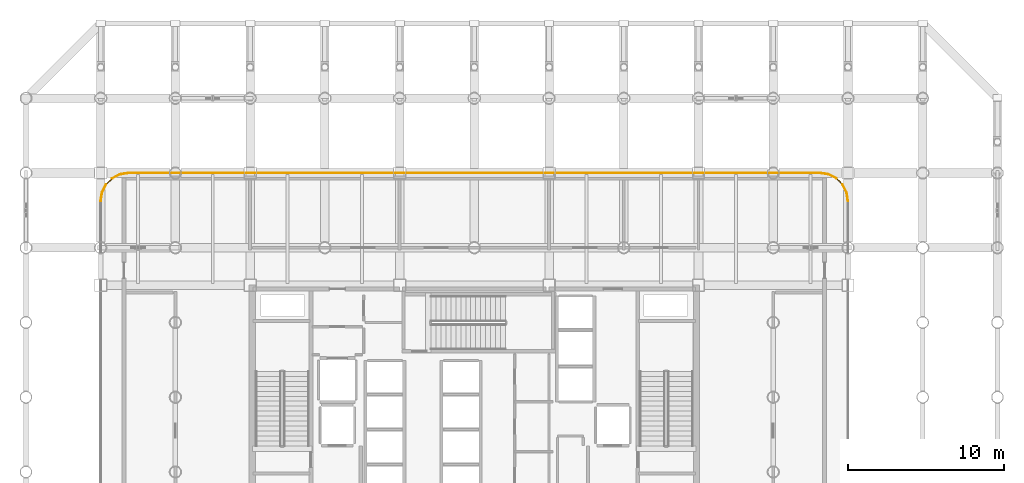
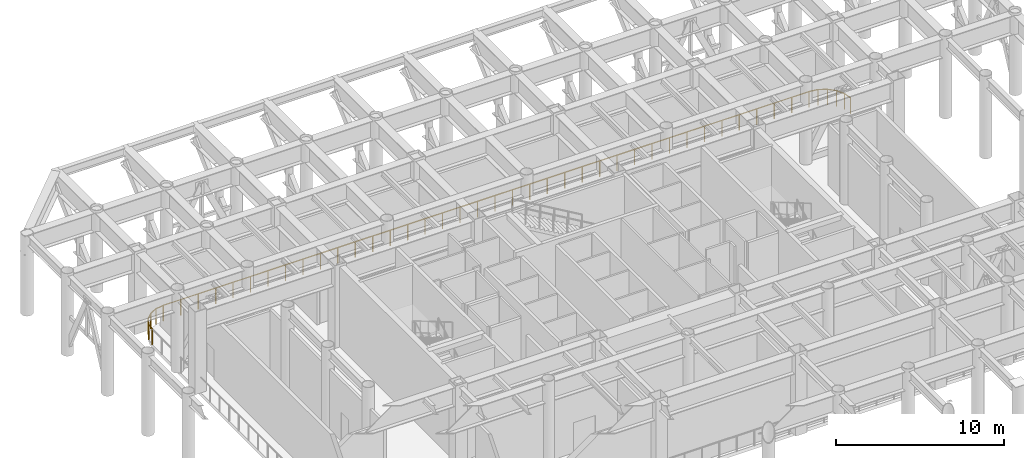
# One storey, part 19 of 19: 11 railings.
"""IFC4 building model written with IfcOpenShell, lengths in metres."""

from ifc_helpers import new_model, si_unit, direction, frame, origin, origin_2d, place, context, subcontext, project, spatial, circle, extrude, material, layer, layer_set, type_object, element, save


model = new_model("IFC4")

# Units and contexts
model_context = context("Model", 3, precision=1e-05, world=origin(), true_north=direction((0.0, 1.0)))
body_context = subcontext(model_context, "Body", "Model", "MODEL_VIEW")
ifc_project = project(units=[si_unit("LENGTHUNIT", "METRE"), si_unit("AREAUNIT", "SQUARE_METRE"), si_unit("VOLUMEUNIT", "CUBIC_METRE"), si_unit("PLANEANGLEUNIT", "RADIAN"), si_unit("MASSUNIT", "GRAM", prefix="KILO")], contexts=[model_context])

# Site, building, storey
site_placement = place(None, origin())
site = spatial("IfcSite", under=ifc_project, at=site_placement, CompositionType="ELEMENT")
building_placement = place(site_placement, origin())
building = spatial("IfcBuilding", under=site, at=building_placement, Name="Kallvorn Hotel Tower", CompositionType="ELEMENT")
storey_placement = place(building_placement, frame((0.0, 0.0, 89.199951171875)))
storey = spatial("IfcBuildingStorey", under=building, at=storey_placement, Name="L21", CompositionType="ELEMENT", Elevation=89.199951171875)

# Railings
ifc_material = material(Name="Galvanised painted steel S275JR balustrade", Category="steel")
ifc_layer = layer(ifc_material, 0.06005859375)
ifc_layer_set = layer_set([ifc_layer], Name="RL_WIND_GUARD_1150")
railing_type = type_object("IfcRailingType", Name="RL_WIND_GUARD_1150", PredefinedType="GUARDRAIL", material=ifc_layer_set)
railing_1_placement = place(storey_placement, frame((24.0, 12.60009765625, 0.0)))
element("IfcRailing", 1, at=railing_1_placement, inside=storey, type_object=railing_type, Name="L21 Exterior Safety Guardrail WIND-L21-07", PredefinedType="GUARDRAIL", context=body_context, shape_type="SweptSolid", body=[
    extrude(circle(Radius=0.02392578125, at=origin_2d()), frame((0.0, 0.0, 1.1259765625), z_axis=(-0.156519160234, 0.987674922472, 0.0), x_axis=(-0.987674922472, -0.156519160234, 0.0)), (0.0, 0.0, 1.0), 0.56298828125),
    extrude(circle(Radius=0.02099609375, at=origin_2d()), origin(), (0.0, 0.0, 1.0), 1.101806640625),
    extrude(circle(Radius=0.02099609375, at=origin_2d()), frame((-0.088134765625, 0.55615234375, 0.0)), (0.0, 0.0, 1.0), 1.101806640625),
])
railing_2_placement = place(storey_placement, frame((23.911865234375, 13.15625, 0.0)))
element("IfcRailing", 2, at=railing_2_placement, inside=storey, type_object=railing_type, Name="L21 Exterior Safety Guardrail WIND-L21-08", PredefinedType="GUARDRAIL", context=body_context, shape_type="SweptSolid", body=[
    extrude(circle(Radius=0.02392578125, at=origin_2d()), frame((0.0, 0.0, 1.1259765625), z_axis=(-0.453964752271, 0.89101964271, 0.0), x_axis=(-0.89101964271, -0.453964752271, 0.0)), (0.0, 0.0, 1.0), 0.56298828125),
    extrude(circle(Radius=0.02099609375, at=origin_2d()), origin(), (0.0, 0.0, 1.0), 1.101806640625),
    extrude(circle(Radius=0.02099609375, at=origin_2d()), frame((-0.255615234375, 0.501708984375, 0.0)), (0.0, 0.0, 1.0), 1.101806640625),
])
railing_3_placement = place(storey_placement, frame((23.65625, 13.657958984375, 0.0)))
element("IfcRailing", 3, at=railing_3_placement, inside=storey, type_object=railing_type, Name="L21 Exterior Safety Guardrail WIND-L21-09", PredefinedType="GUARDRAIL", context=body_context, shape_type="SweptSolid", body=[
    extrude(circle(Radius=0.02392578125, at=origin_2d()), frame((0.0, 0.0, 1.1259765625), z_axis=(-0.707106781187, 0.707106781187, 0.0), x_axis=(-0.707106781187, -0.707106781187, 0.0)), (0.0, 0.0, 1.0), 0.563232421875),
    extrude(circle(Radius=0.02099609375, at=origin_2d()), origin(), (0.0, 0.0, 1.0), 1.101806640625),
    extrude(circle(Radius=0.02099609375, at=origin_2d()), frame((-0.398193359375, 0.398193359375, 0.0)), (0.0, 0.0, 1.0), 1.101806640625),
])
railing_4_placement = place(storey_placement, frame((23.258056640625, 14.05615234375, 0.0)))
element("IfcRailing", 4, at=railing_4_placement, inside=storey, type_object=railing_type, Name="L21 Exterior Safety Guardrail WIND-L21-10", PredefinedType="GUARDRAIL", context=body_context, shape_type="SweptSolid", body=[
    extrude(circle(Radius=0.02392578125, at=origin_2d()), frame((0.0, 0.0, 1.1259765625), z_axis=(-0.89093365011, 0.454133494803, 0.0), x_axis=(-0.454133494803, -0.89093365011, 0.0)), (0.0, 0.0, 1.0), 0.5634765625),
    extrude(circle(Radius=0.02099609375, at=origin_2d()), origin(), (0.0, 0.0, 1.0), 1.101806640625),
    extrude(circle(Radius=0.02099609375, at=origin_2d()), frame((-0.501953125, 0.255859375, 0.0)), (0.0, 0.0, 1.0), 1.101806640625),
])
railing_5_placement = place(storey_placement, frame((22.756103515625, 14.31201171875, 0.0)))
element("IfcRailing", 5, at=railing_5_placement, inside=storey, type_object=railing_type, Name="L21 Exterior Safety Guardrail WIND-L21-11", PredefinedType="GUARDRAIL", context=body_context, shape_type="SweptSolid", body=[
    extrude(circle(Radius=0.02392578125, at=origin_2d()), frame((0.0, 0.0, 1.1259765625), z_axis=(-0.987741862218, 0.156096167866, 0.0), x_axis=(-0.156096167866, -0.987741862218, 0.0)), (0.0, 0.0, 1.0), 0.56298828125),
    extrude(circle(Radius=0.02099609375, at=origin_2d()), origin(), (0.0, 0.0, 1.0), 1.101806640625),
    extrude(circle(Radius=0.02099609375, at=origin_2d()), frame((-0.55615234375, 0.087890625, 0.0)), (0.0, 0.0, 1.0), 1.101806640625),
])
railing_6_placement = place(storey_placement, frame((22.199951171875, 14.39990234375, 0.0)))
element("IfcRailing", 6, at=railing_6_placement, inside=storey, type_object=railing_type, Name="L21 Exterior Safety Guardrail WIND-L21-12", PredefinedType="GUARDRAIL", context=body_context, shape_type="SweptSolid", body=[
    extrude(circle(Radius=0.02392578125, at=origin_2d()), frame((0.0, 0.0, 1.1259765625), z_axis=(-1.0, 0.0, 0.0), x_axis=(0.0, -1.0, 0.0)), (0.0, 0.0, 1.0), 44.39990234375),
    extrude(circle(Radius=0.02099609375, at=origin_2d()), origin(), (0.0, 0.0, 1.0), 1.101806640625),
    extrude(circle(Radius=0.02099609375, at=origin_2d()), frame((-1.199951171875, 0.0, 0.0)), (0.0, 0.0, 1.0), 1.101806640625),
    extrude(circle(Radius=0.02099609375, at=origin_2d()), frame((-2.39990234375, 0.0, 0.0)), (0.0, 0.0, 1.0), 1.101806640625),
    extrude(circle(Radius=0.02099609375, at=origin_2d()), frame((-3.60009765625, 0.0, 0.0)), (0.0, 0.0, 1.0), 1.101806640625),
    extrude(circle(Radius=0.02099609375, at=origin_2d()), frame((-4.800048828125, 0.0, 0.0)), (0.0, 0.0, 1.0), 1.101806640625),
    extrude(circle(Radius=0.02099609375, at=origin_2d()), frame((-6.0, 0.0, 0.0)), (0.0, 0.0, 1.0), 1.101806640625),
    extrude(circle(Radius=0.02099609375, at=origin_2d()), frame((-7.199951171875, 0.0, 0.0)), (0.0, 0.0, 1.0), 1.101806640625),
    extrude(circle(Radius=0.02099609375, at=origin_2d()), frame((-8.39990234375, 0.0, 0.0)), (0.0, 0.0, 1.0), 1.101806640625),
    extrude(circle(Radius=0.02099609375, at=origin_2d()), frame((-9.60009765625, 0.0, 0.0)), (0.0, 0.0, 1.0), 1.101806640625),
    extrude(circle(Radius=0.02099609375, at=origin_2d()), frame((-10.800048828125, 0.0, 0.0)), (0.0, 0.0, 1.0), 1.101806640625),
    extrude(circle(Radius=0.02099609375, at=origin_2d()), frame((-12.0, 0.0, 0.0)), (0.0, 0.0, 1.0), 1.101806640625),
    extrude(circle(Radius=0.02099609375, at=origin_2d()), frame((-13.199951171875, 0.0, 0.0)), (0.0, 0.0, 1.0), 1.101806640625),
    extrude(circle(Radius=0.02099609375, at=origin_2d()), frame((-14.39990234375, 0.0, 0.0)), (0.0, 0.0, 1.0), 1.101806640625),
    extrude(circle(Radius=0.02099609375, at=origin_2d()), frame((-15.599853515625, 0.0, 0.0)), (0.0, 0.0, 1.0), 1.101806640625),
    extrude(circle(Radius=0.02099609375, at=origin_2d()), frame((-16.800048828125, 0.0, 0.0)), (0.0, 0.0, 1.0), 1.101806640625),
    extrude(circle(Radius=0.02099609375, at=origin_2d()), frame((-18.0, 0.0, 0.0)), (0.0, 0.0, 1.0), 1.101806640625),
    extrude(circle(Radius=0.02099609375, at=origin_2d()), frame((-19.199951171875, 0.0, 0.0)), (0.0, 0.0, 1.0), 1.101806640625),
    extrude(circle(Radius=0.02099609375, at=origin_2d()), frame((-20.39990234375, 0.0, 0.0)), (0.0, 0.0, 1.0), 1.101806640625),
    extrude(circle(Radius=0.02099609375, at=origin_2d()), frame((-21.599853515625, 0.0, 0.0)), (0.0, 0.0, 1.0), 1.101806640625),
    extrude(circle(Radius=0.02099609375, at=origin_2d()), frame((-22.800048828125, 0.0, 0.0)), (0.0, 0.0, 1.0), 1.101806640625),
    extrude(circle(Radius=0.02099609375, at=origin_2d()), frame((-24.0, 0.0, 0.0)), (0.0, 0.0, 1.0), 1.101806640625),
    extrude(circle(Radius=0.02099609375, at=origin_2d()), frame((-25.199951171875, 0.0, 0.0)), (0.0, 0.0, 1.0), 1.101806640625),
    extrude(circle(Radius=0.02099609375, at=origin_2d()), frame((-26.39990234375, 0.0, 0.0)), (0.0, 0.0, 1.0), 1.101806640625),
    extrude(circle(Radius=0.02099609375, at=origin_2d()), frame((-27.599853515625, 0.0, 0.0)), (0.0, 0.0, 1.0), 1.101806640625),
    extrude(circle(Radius=0.02099609375, at=origin_2d()), frame((-28.800048828125, 0.0, 0.0)), (0.0, 0.0, 1.0), 1.101806640625),
    extrude(circle(Radius=0.02099609375, at=origin_2d()), frame((-30.0, 0.0, 0.0)), (0.0, 0.0, 1.0), 1.101806640625),
    extrude(circle(Radius=0.02099609375, at=origin_2d()), frame((-31.199951171875, 0.0, 0.0)), (0.0, 0.0, 1.0), 1.101806640625),
    extrude(circle(Radius=0.02099609375, at=origin_2d()), frame((-32.39990234375, 0.0, 0.0)), (0.0, 0.0, 1.0), 1.101806640625),
    extrude(circle(Radius=0.02099609375, at=origin_2d()), frame((-33.599853515625, 0.0, 0.0)), (0.0, 0.0, 1.0), 1.101806640625),
    extrude(circle(Radius=0.02099609375, at=origin_2d()), frame((-34.7998046875, 0.0, 0.0)), (0.0, 0.0, 1.0), 1.101806640625),
    extrude(circle(Radius=0.02099609375, at=origin_2d()), frame((-36.0, 0.0, 0.0)), (0.0, 0.0, 1.0), 1.101806640625),
    extrude(circle(Radius=0.02099609375, at=origin_2d()), frame((-37.199951171875, 0.0, 0.0)), (0.0, 0.0, 1.0), 1.101806640625),
    extrude(circle(Radius=0.02099609375, at=origin_2d()), frame((-38.39990234375, 0.0, 0.0)), (0.0, 0.0, 1.0), 1.101806640625),
    extrude(circle(Radius=0.02099609375, at=origin_2d()), frame((-39.599853515625, 0.0, 0.0)), (0.0, 0.0, 1.0), 1.101806640625),
    extrude(circle(Radius=0.02099609375, at=origin_2d()), frame((-40.7998046875, 0.0, 0.0)), (0.0, 0.0, 1.0), 1.101806640625),
    extrude(circle(Radius=0.02099609375, at=origin_2d()), frame((-42.0, 0.0, 0.0)), (0.0, 0.0, 1.0), 1.101806640625),
    extrude(circle(Radius=0.02099609375, at=origin_2d()), frame((-43.199951171875, 0.0, 0.0)), (0.0, 0.0, 1.0), 1.101806640625),
    extrude(circle(Radius=0.02099609375, at=origin_2d()), frame((-44.39990234375, 0.0, 0.0)), (0.0, 0.0, 1.0), 1.101806640625),
])
railing_7_placement = place(storey_placement, frame((-22.199951171875, 14.39990234375, 0.0)))
element("IfcRailing", 7, at=railing_7_placement, inside=storey, type_object=railing_type, Name="L21 Exterior Safety Guardrail WIND-L21-13", PredefinedType="GUARDRAIL", context=body_context, shape_type="SweptSolid", body=[
    extrude(circle(Radius=0.02392578125, at=origin_2d()), frame((0.0, 0.0, 1.1259765625), z_axis=(-0.987741862218, -0.156096167866, 0.0), x_axis=(0.156096167866, -0.987741862218, 0.0)), (0.0, 0.0, 1.0), 0.56298828125),
    extrude(circle(Radius=0.02099609375, at=origin_2d()), origin(), (0.0, 0.0, 1.0), 1.101806640625),
    extrude(circle(Radius=0.02099609375, at=origin_2d()), frame((-0.55615234375, -0.087890625, 0.0)), (0.0, 0.0, 1.0), 1.101806640625),
])
railing_8_placement = place(storey_placement, frame((-22.756103515625, 14.31201171875, 0.0)))
element("IfcRailing", 8, at=railing_8_placement, inside=storey, type_object=railing_type, Name="L21 Exterior Safety Guardrail WIND-L21-14", PredefinedType="GUARDRAIL", context=body_context, shape_type="SweptSolid", body=[
    extrude(circle(Radius=0.02392578125, at=origin_2d()), frame((0.0, 0.0, 1.1259765625), z_axis=(-0.89093365011, -0.454133494803, 0.0), x_axis=(0.454133494803, -0.89093365011, 0.0)), (0.0, 0.0, 1.0), 0.5634765625),
    extrude(circle(Radius=0.02099609375, at=origin_2d()), origin(), (0.0, 0.0, 1.0), 1.101806640625),
    extrude(circle(Radius=0.02099609375, at=origin_2d()), frame((-0.501953125, -0.255859375, 0.0)), (0.0, 0.0, 1.0), 1.101806640625),
])
railing_9_placement = place(storey_placement, frame((-23.258056640625, 14.05615234375, 0.0)))
element("IfcRailing", 9, at=railing_9_placement, inside=storey, type_object=railing_type, Name="L21 Exterior Safety Guardrail WIND-L21-15", PredefinedType="GUARDRAIL", context=body_context, shape_type="SweptSolid", body=[
    extrude(circle(Radius=0.02392578125, at=origin_2d()), frame((0.0, 0.0, 1.1259765625), z_axis=(-0.707106781187, -0.707106781187, 0.0), x_axis=(0.707106781187, -0.707106781187, 0.0)), (0.0, 0.0, 1.0), 0.563232421875),
    extrude(circle(Radius=0.02099609375, at=origin_2d()), origin(), (0.0, 0.0, 1.0), 1.101806640625),
    extrude(circle(Radius=0.02099609375, at=origin_2d()), frame((-0.398193359375, -0.398193359375, 0.0)), (0.0, 0.0, 1.0), 1.101806640625),
])
railing_10_placement = place(storey_placement, frame((-23.65625, 13.657958984375, 0.0)))
element("IfcRailing", 10, at=railing_10_placement, inside=storey, type_object=railing_type, Name="L21 Exterior Safety Guardrail WIND-L21-16", PredefinedType="GUARDRAIL", context=body_context, shape_type="SweptSolid", body=[
    extrude(circle(Radius=0.02392578125, at=origin_2d()), frame((0.0, 0.0, 1.1259765625), z_axis=(-0.453964752271, -0.89101964271, 0.0), x_axis=(0.89101964271, -0.453964752271, 0.0)), (0.0, 0.0, 1.0), 0.56298828125),
    extrude(circle(Radius=0.02099609375, at=origin_2d()), origin(), (0.0, 0.0, 1.0), 1.101806640625),
    extrude(circle(Radius=0.02099609375, at=origin_2d()), frame((-0.255615234375, -0.501708984375, 0.0)), (0.0, 0.0, 1.0), 1.101806640625),
])
railing_11_placement = place(storey_placement, frame((-23.911865234375, 13.15625, 0.0)))
element("IfcRailing", 11, at=railing_11_placement, inside=storey, type_object=railing_type, Name="L21 Exterior Safety Guardrail WIND-L21-17", PredefinedType="GUARDRAIL", context=body_context, shape_type="SweptSolid", body=[
    extrude(circle(Radius=0.02392578125, at=origin_2d()), frame((0.0, 0.0, 1.1259765625), z_axis=(-0.156519160234, -0.987674922472, 0.0), x_axis=(0.987674922472, -0.156519160234, 0.0)), (0.0, 0.0, 1.0), 0.56298828125),
    extrude(circle(Radius=0.02099609375, at=origin_2d()), origin(), (0.0, 0.0, 1.0), 1.101806640625),
    extrude(circle(Radius=0.02099609375, at=origin_2d()), frame((-0.088134765625, -0.55615234375, 0.0)), (0.0, 0.0, 1.0), 1.101806640625),
])

save(model, "model.ifc")
